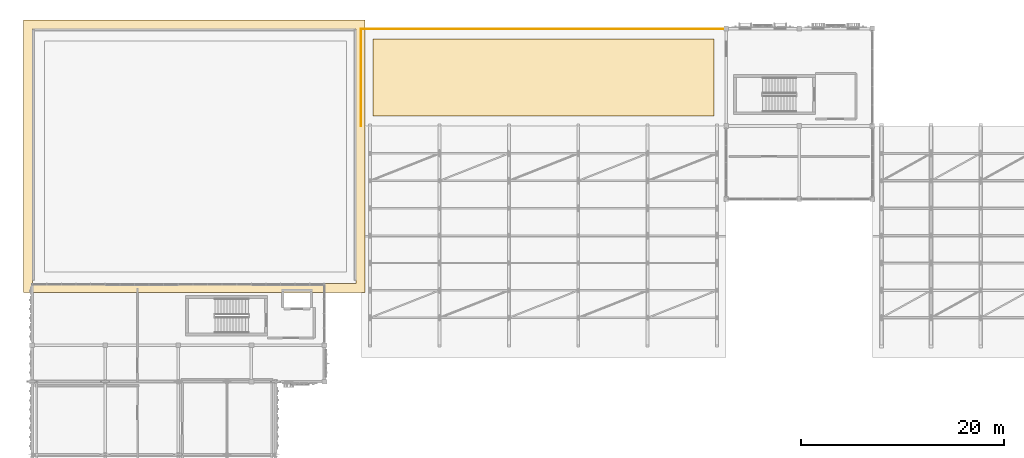
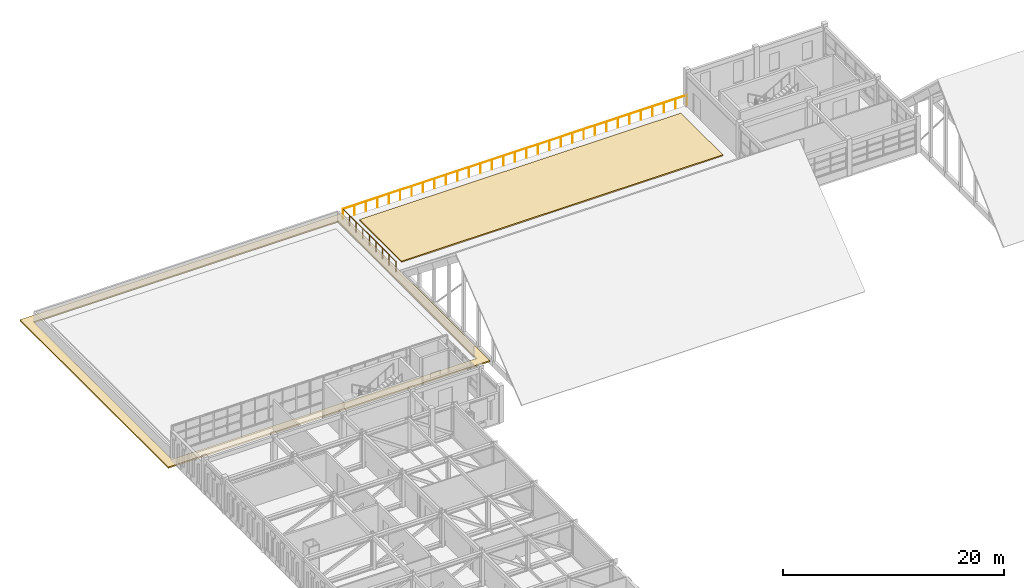
# One storey, part 68 of 79: 2 coverings, 2 railings.
"""IFC4 building model written with IfcOpenShell, lengths in metres."""

import ifcopenshell
import ifcopenshell.guid

model = None  # the IFC model being written
_history = None  # IfcOwnerHistory: only IFC2X3 demands one
_inside = {}  # id of a spatial element -> (the spatial element, [elements in it])
_under = {}  # id of a project, library or spatial element -> (it, [spatial elements below it])
_declared = {}  # id of a project -> (the project, [libraries it declares])
_typed = {}  # id of a type object -> (the type object, [elements of that type])
_made_of = {}  # id of a material, layer set ... -> (it, [elements and type objects made of it])


def new_model(schema):
    """Start an empty IFC model of exactly this schema.

    Asked for "IFC4X3", IfcOpenShell would pick the latest addendum, in which some entities
    have other attributes; the version numbers below select the first issue.
    IFC2X3 requires an IfcOwnerHistory on every rooted entity: one is made here for all.
    """
    global model, _history
    if schema == "IFC4X3":
        model = ifcopenshell.file(schema_version=(4, 3, 0, 0))
    else:
        model = ifcopenshell.file(schema=schema)
    _inside.clear()
    _under.clear()
    _declared.clear()
    _typed.clear()
    _made_of.clear()
    _history = None
    if model.schema == "IFC2X3":
        org = make("IfcOrganization", Name="unknown")
        user = make(
            "IfcPersonAndOrganization",
            ThePerson=make("IfcPerson", FamilyName="unknown"),
            TheOrganization=org,
        )
        app = make(
            "IfcApplication",
            ApplicationDeveloper=org,
            Version="unknown",
            ApplicationFullName="unknown",
            ApplicationIdentifier="unknown",
        )
        _history = make(
            "IfcOwnerHistory",
            OwningUser=user,
            OwningApplication=app,
            ChangeAction="ADDED",
            CreationDate=0,
        )
    return model


def make(cls, **values):
    """One entity of the class cls with the attributes given. An attribute that is None is left unset."""
    return model.create_entity(
        cls, **{name: value for name, value in values.items() if value is not None}
    )


def rooted(cls, **values):
    """An entity with a GlobalId (a new one), such as an element, a storey or a relation."""
    return make(cls, GlobalId=ifcopenshell.guid.new(), OwnerHistory=_history, **values)


def si_unit(unit_type, name, prefix=None):
    """IfcSIUnit, for example si_unit("LENGTHUNIT", "METRE", prefix="MILLI")."""
    return make("IfcSIUnit", UnitType=unit_type, Prefix=prefix, Name=name)


def assignment(units):
    """IfcUnitAssignment: the units of a project."""
    return None if units is None else make("IfcUnitAssignment", Units=units)


def point(xyz):
    """IfcCartesianPoint."""
    return None if xyz is None else make("IfcCartesianPoint", Coordinates=xyz)


def direction(xyz):
    """IfcDirection."""
    return None if xyz is None else make("IfcDirection", DirectionRatios=xyz)


def frame(location, z_axis=None, x_axis=None):
    """IfcAxis2Placement3D, a coordinate frame: its origin and axes. An axis left out is left unset."""
    return make(
        "IfcAxis2Placement3D",
        Location=point(location),
        Axis=direction(z_axis),
        RefDirection=direction(x_axis),
    )


def frame_2d(location, x_axis=None):
    """IfcAxis2Placement2D, a coordinate frame in the plane: its origin and x axis."""
    return make(
        "IfcAxis2Placement2D", Location=point(location), RefDirection=direction(x_axis)
    )


def origin():
    """The frame at (0, 0, 0) with its axes left unset."""
    return frame((0.0, 0.0, 0.0))


def origin_2d():
    """The frame at (0, 0) in the plane with its x axis left unset."""
    return frame_2d((0.0, 0.0))


def place(relative_to, where):
    """IfcLocalPlacement: puts the frame where relative to a parent placement (None: the world)."""
    return make(
        "IfcLocalPlacement", PlacementRelTo=relative_to, RelativePlacement=where
    )


def context(
    kind, dimensions, precision=None, world=None, true_north=None, identifier=None
):
    """IfcGeometricRepresentationContext, for example the 3D "Model" context."""
    return make(
        "IfcGeometricRepresentationContext",
        ContextIdentifier=identifier,
        ContextType=kind,
        CoordinateSpaceDimension=dimensions,
        Precision=precision,
        WorldCoordinateSystem=world,
        TrueNorth=true_north,
    )


def subcontext(parent, identifier, kind, view, scale=None):
    """IfcGeometricRepresentationSubContext, for example "Body" below "Model"."""
    return make(
        "IfcGeometricRepresentationSubContext",
        ContextIdentifier=identifier,
        ContextType=kind,
        ParentContext=parent,
        TargetScale=scale,
        TargetView=view,
    )


def project(units=None, contexts=None):
    """IfcProject with its units and contexts."""
    return rooted(
        "IfcProject",
        Name="project",
        RepresentationContexts=contexts,
        UnitsInContext=assignment(units),
    )


def spatial(cls, under=None, at=None, **own):
    """A site, building, storey or space (cls), placed at a placement, below another one or the project."""
    s = rooted(cls, ObjectPlacement=at, **own)
    if under is not None:
        _under.setdefault(under.id(), (under, []))[1].append(s)
    return s


def polyline(points):
    """IfcPolyline through the points."""
    return make("IfcPolyline", Points=[point(p) for p in points])


def profile(cls, at=None, kind="AREA", **sizes):
    """A parametric profile (cls). Its sizes go by their IFC names, for example OverallWidth=200.0."""
    return make(cls, ProfileType=kind, Position=at, **sizes)


def circle(**sizes):
    """IfcCircleProfileDef."""
    return profile("IfcCircleProfileDef", **sizes)


def outline(outer, holes=None, kind="AREA"):
    """IfcArbitraryClosedProfileDef: a profile drawn as a closed curve; with holes, ...WithVoids."""
    if holes is None:
        return make("IfcArbitraryClosedProfileDef", ProfileType=kind, OuterCurve=outer)
    return make(
        "IfcArbitraryProfileDefWithVoids",
        ProfileType=kind,
        OuterCurve=outer,
        InnerCurves=holes,
    )


def extrude(swept, where, along, depth):
    """IfcExtrudedAreaSolid: the profile swept, set in the frame where, extruded along a direction by depth."""
    return make(
        "IfcExtrudedAreaSolid",
        SweptArea=swept,
        Position=where,
        ExtrudedDirection=direction(along),
        Depth=depth,
    )


def shape(context_of_items, identifier, shape_type, items):
    """IfcShapeRepresentation: the items that make up one representation, for example the "Body"."""
    return make(
        "IfcShapeRepresentation",
        ContextOfItems=context_of_items,
        RepresentationIdentifier=identifier,
        RepresentationType=shape_type,
        Items=items,
    )


def material(Name=None, Category=None):
    """IfcMaterial."""
    return make("IfcMaterial", Name=Name, Category=Category)


def layer(
    of_material, thickness, ventilated=None, Name=None, Category=None, Priority=None
):
    """IfcMaterialLayer: one layer of a wall or slab, of a material (None: an air gap)."""
    return make(
        "IfcMaterialLayer",
        Material=of_material,
        LayerThickness=thickness,
        IsVentilated=ventilated,
        Name=Name,
        Category=Category,
        Priority=Priority,
    )


def layer_set(layers, Name=None):
    """IfcMaterialLayerSet."""
    return make("IfcMaterialLayerSet", MaterialLayers=layers, LayerSetName=Name)


def made_of(thing, what):
    """Note that an element or type object is made of a material, layer set ...; save() writes the relation."""
    if what is not None:
        _made_of.setdefault(what.id(), (what, []))[1].append(thing)
    return thing


def type_object(cls, material=None, **own):
    """A type object (cls), such as IfcWallType, which elements share."""
    return made_of(rooted(cls, **own), material)


def element(
    cls,
    number,
    at=None,
    inside=None,
    cuts=None,
    type_object=None,
    material=None,
    context=None,
    identifier="Body",
    shape_type=None,
    held_by="IfcProductDefinitionShape",
    body=None,
    shapes=None,
    **own,
):
    """One element of the class cls, such as IfcWall. Its Tag is "e" and its number.

    at: its placement. inside: the storey or other place that contains it. cuts: it is an
    opening in that element (IfcRelVoidsElement). A single representation is given by context,
    identifier, shape_type and body (its items); several are given by shapes. held_by: the class
    of the entity that holds the representations. save() writes the other relations.
    """
    e = rooted(cls, Tag="e%d" % number, ObjectPlacement=at, **own)
    if body is not None:
        shapes = [shape(context, identifier, shape_type, body)]
    if shapes is not None:
        e.Representation = make(held_by, Representations=shapes)
    if inside is not None:
        _inside.setdefault(inside.id(), (inside, []))[1].append(e)
    if cuts is not None:
        rooted(
            "IfcRelVoidsElement", RelatingBuildingElement=cuts, RelatedOpeningElement=e
        )
    if type_object is not None:
        _typed.setdefault(type_object.id(), (type_object, []))[1].append(e)
    return made_of(e, material)


def aggregate(whole, parts):
    """IfcRelAggregates: a whole, such as a stair, and the parts it consists of."""
    return rooted("IfcRelAggregates", RelatingObject=whole, RelatedObjects=parts)


def save(model, path):
    """Write the relations noted so far, then the file.

    IfcRelAggregates (storeys below a building ...), IfcRelContainedInSpatialStructure (elements
    in a storey), IfcRelDefinesByType, IfcRelAssociatesMaterial and IfcRelDeclares: one each for
    every whole, place, type object, material and project.
    """
    for whole, parts in _under.values():
        aggregate(whole, parts)
    for where, things in _inside.values():
        rooted(
            "IfcRelContainedInSpatialStructure",
            RelatedElements=things,
            RelatingStructure=where,
        )
    for kind, things in _typed.values():
        rooted("IfcRelDefinesByType", RelatedObjects=things, RelatingType=kind)
    for what, things in _made_of.values():
        rooted("IfcRelAssociatesMaterial", RelatedObjects=things, RelatingMaterial=what)
    for by, libraries in _declared.values():
        rooted("IfcRelDeclares", RelatingContext=by, RelatedDefinitions=libraries)
    model.write(path)


model = new_model("IFC4")

# Units and contexts
model_context = context("Model", 3, precision=1e-05, world=origin(), true_north=direction((0.0, 1.0)))
body_context = subcontext(model_context, "Body", "Model", "MODEL_VIEW")
ifc_project = project(units=[si_unit("LENGTHUNIT", "METRE"), si_unit("AREAUNIT", "SQUARE_METRE"), si_unit("VOLUMEUNIT", "CUBIC_METRE"), si_unit("PLANEANGLEUNIT", "RADIAN"), si_unit("MASSUNIT", "GRAM", prefix="KILO")], contexts=[model_context])

# Site, building, storey
site_placement = place(None, origin())
site = spatial("IfcSite", under=ifc_project, at=site_placement, CompositionType="ELEMENT")
building_placement = place(site_placement, origin())
building = spatial("IfcBuilding", under=site, at=building_placement, Name="Nzembalo Square Collegiate School", CompositionType="ELEMENT")
storey_placement = place(building_placement, frame((0.0, 0.0, 9.52001953125)))
storey = spatial("IfcBuildingStorey", under=building, at=storey_placement, Name="L02", CompositionType="ELEMENT", Elevation=9.52001953125)

# Coverings
ifc_material_1 = material(Name="Glulam GL28h overhanging eaves cornice", Category="wood")
ifc_layer_1 = layer(ifc_material_1, 0.159912109375, Name="Glulam GL28h overhanging eaves cornice")
ifc_layer_set_1 = layer_set([ifc_layer_1], Name="Glulam GL28h overhanging eaves cornice")
covering_type_1 = type_object("IfcCoveringType", Name="EV01", PredefinedType="ROOFING", material=ifc_layer_set_1)
covering_1_placement = place(storey_placement, frame((0.0, 0.0, -0.159912109375)))
element("IfcCovering", 1, at=covering_1_placement, inside=storey, type_object=covering_type_1, Name="Projecting tropical roof eaves cornice EV01-01", PredefinedType="ROOFING", context=body_context, shape_type="SweptSolid", body=[
    extrude(outline(polyline([(7.550048828125, 87.989990234375), (41.199951171875, 87.989990234375), (41.199951171875, 114.85009765625), (7.550048828125, 114.85009765625), (7.550048828125, 87.989990234375)]), holes=[polyline([(8.449951171875, 88.889892578125), (40.300048828125, 88.889892578125), (40.300048828125, 113.949951171875), (8.449951171875, 113.949951171875), (8.449951171875, 88.889892578125)])]), origin(), (0.0, 0.0, 1.0), 0.14990234375),
])
ifc_material_2 = material(Name="Planted extensive green roof substrate")
ifc_layer_2 = layer(ifc_material_2, 0.139892578125, Name="Planted extensive green roof substrate")
ifc_layer_set_2 = layer_set([ifc_layer_2], Name="Planted extensive green roof substrate")
covering_type_2 = type_object("IfcCoveringType", Name="GR01", PredefinedType="ROOFING", material=ifc_layer_set_2)
covering_2_placement = place(storey_placement, origin())
element("IfcCovering", 2, at=covering_2_placement, inside=storey, type_object=covering_type_2, Name="Planted green roof bed GR01-04", PredefinedType="ROOFING", context=body_context, shape_type="SweptSolid", body=[
    extrude(outline(polyline([(42.0, 105.39990234375), (75.60009765625, 105.39990234375), (75.60009765625, 113.0), (42.0, 113.0), (42.0, 105.39990234375)])), origin(), (0.0, 0.0, 1.0), 0.139892578125),
])

# Railings
ifc_material_3 = material(Name="Steel S355", Category="steel")
railing_type = type_object("IfcRailingType", Name="BL01", PredefinedType="BALUSTRADE", material=ifc_material_3)
railing_1_placement = place(storey_placement, frame((40.820068359375, 104.39990234375, 0.0)))
element("IfcRailing", 3, at=railing_1_placement, inside=storey, type_object=railing_type, Name="Terrace balustrade BL-07A", PredefinedType="BALUSTRADE", context=body_context, shape_type="SweptSolid", body=[
    extrude(circle(Radius=0.02392578125, at=origin_2d()), frame((0.0, 0.0, 1.1259765625), z_axis=(0.0, 1.0, 0.0), x_axis=(-1.0, 0.0, 0.0)), (0.0, 0.0, 1.0), 9.580078125),
    extrude(circle(Radius=0.02099609375, at=origin_2d()), origin(), (0.0, 0.0, 1.0), 1.101806640625),
    extrude(circle(Radius=0.02099609375, at=origin_2d()), frame((0.0, 1.197509765625, 0.0)), (0.0, 0.0, 1.0), 1.101806640625),
    extrude(circle(Radius=0.02099609375, at=origin_2d()), frame((0.0, 2.39501953125, 0.0)), (0.0, 0.0, 1.0), 1.101806640625),
    extrude(circle(Radius=0.02099609375, at=origin_2d()), frame((0.0, 3.592529296875, 0.0)), (0.0, 0.0, 1.0), 1.101806640625),
    extrude(circle(Radius=0.02099609375, at=origin_2d()), frame((0.0, 4.7900390625, 0.0)), (0.0, 0.0, 1.0), 1.101806640625),
    extrude(circle(Radius=0.02099609375, at=origin_2d()), frame((0.0, 5.987548828125, 0.0)), (0.0, 0.0, 1.0), 1.101806640625),
    extrude(circle(Radius=0.02099609375, at=origin_2d()), frame((0.0, 7.18505859375, 0.0)), (0.0, 0.0, 1.0), 1.101806640625),
    extrude(circle(Radius=0.02099609375, at=origin_2d()), frame((0.0, 8.382568359375, 0.0)), (0.0, 0.0, 1.0), 1.101806640625),
    extrude(circle(Radius=0.02099609375, at=origin_2d()), frame((0.0, 9.580078125, 0.0)), (0.0, 0.0, 1.0), 1.101806640625),
])
railing_2_placement = place(storey_placement, frame((40.820068359375, 113.97998046875, 0.0)))
element("IfcRailing", 4, at=railing_2_placement, inside=storey, type_object=railing_type, Name="Terrace balustrade BL-07B", PredefinedType="BALUSTRADE", context=body_context, shape_type="SweptSolid", body=[
    extrude(circle(Radius=0.02392578125, at=origin_2d()), frame((0.0, 0.0, 1.1259765625), z_axis=(1.0, 0.0, 0.0), x_axis=(0.0, 1.0, 0.0)), (0.0, 0.0, 1.0), 35.97998046875),
    extrude(circle(Radius=0.02099609375, at=origin_2d()), origin(), (0.0, 0.0, 1.0), 1.101806640625),
    extrude(circle(Radius=0.02099609375, at=origin_2d()), frame((1.19921875, 0.0, 0.0)), (0.0, 0.0, 1.0), 1.101806640625),
    extrude(circle(Radius=0.02099609375, at=origin_2d()), frame((2.398681640625, 0.0, 0.0)), (0.0, 0.0, 1.0), 1.101806640625),
    extrude(circle(Radius=0.02099609375, at=origin_2d()), frame((3.597900390625, 0.0, 0.0)), (0.0, 0.0, 1.0), 1.101806640625),
    extrude(circle(Radius=0.02099609375, at=origin_2d()), frame((4.79736328125, 0.0, 0.0)), (0.0, 0.0, 1.0), 1.101806640625),
    extrude(circle(Radius=0.02099609375, at=origin_2d()), frame((5.99658203125, 0.0, 0.0)), (0.0, 0.0, 1.0), 1.101806640625),
    extrude(circle(Radius=0.02099609375, at=origin_2d()), frame((7.196044921875, 0.0, 0.0)), (0.0, 0.0, 1.0), 1.101806640625),
    extrude(circle(Radius=0.02099609375, at=origin_2d()), frame((8.395263671875, 0.0, 0.0)), (0.0, 0.0, 1.0), 1.101806640625),
    extrude(circle(Radius=0.02099609375, at=origin_2d()), frame((9.5947265625, 0.0, 0.0)), (0.0, 0.0, 1.0), 1.101806640625),
    extrude(circle(Radius=0.02099609375, at=origin_2d()), frame((10.7939453125, 0.0, 0.0)), (0.0, 0.0, 1.0), 1.101806640625),
    extrude(circle(Radius=0.02099609375, at=origin_2d()), frame((11.993408203125, 0.0, 0.0)), (0.0, 0.0, 1.0), 1.101806640625),
    extrude(circle(Radius=0.02099609375, at=origin_2d()), frame((13.192626953125, 0.0, 0.0)), (0.0, 0.0, 1.0), 1.101806640625),
    extrude(circle(Radius=0.02099609375, at=origin_2d()), frame((14.39208984375, 0.0, 0.0)), (0.0, 0.0, 1.0), 1.101806640625),
    extrude(circle(Radius=0.02099609375, at=origin_2d()), frame((15.59130859375, 0.0, 0.0)), (0.0, 0.0, 1.0), 1.101806640625),
    extrude(circle(Radius=0.02099609375, at=origin_2d()), frame((16.790771484375, 0.0, 0.0)), (0.0, 0.0, 1.0), 1.101806640625),
    extrude(circle(Radius=0.02099609375, at=origin_2d()), frame((17.989990234375, 0.0, 0.0)), (0.0, 0.0, 1.0), 1.101806640625),
    extrude(circle(Radius=0.02099609375, at=origin_2d()), frame((19.189208984375, 0.0, 0.0)), (0.0, 0.0, 1.0), 1.101806640625),
    extrude(circle(Radius=0.02099609375, at=origin_2d()), frame((20.388671875, 0.0, 0.0)), (0.0, 0.0, 1.0), 1.101806640625),
    extrude(circle(Radius=0.02099609375, at=origin_2d()), frame((21.587890625, 0.0, 0.0)), (0.0, 0.0, 1.0), 1.101806640625),
    extrude(circle(Radius=0.02099609375, at=origin_2d()), frame((22.787353515625, 0.0, 0.0)), (0.0, 0.0, 1.0), 1.101806640625),
    extrude(circle(Radius=0.02099609375, at=origin_2d()), frame((23.986572265625, 0.0, 0.0)), (0.0, 0.0, 1.0), 1.101806640625),
    extrude(circle(Radius=0.02099609375, at=origin_2d()), frame((25.18603515625, 0.0, 0.0)), (0.0, 0.0, 1.0), 1.101806640625),
    extrude(circle(Radius=0.02099609375, at=origin_2d()), frame((26.38525390625, 0.0, 0.0)), (0.0, 0.0, 1.0), 1.101806640625),
    extrude(circle(Radius=0.02099609375, at=origin_2d()), frame((27.584716796875, 0.0, 0.0)), (0.0, 0.0, 1.0), 1.101806640625),
    extrude(circle(Radius=0.02099609375, at=origin_2d()), frame((28.783935546875, 0.0, 0.0)), (0.0, 0.0, 1.0), 1.101806640625),
    extrude(circle(Radius=0.02099609375, at=origin_2d()), frame((29.9833984375, 0.0, 0.0)), (0.0, 0.0, 1.0), 1.101806640625),
    extrude(circle(Radius=0.02099609375, at=origin_2d()), frame((31.1826171875, 0.0, 0.0)), (0.0, 0.0, 1.0), 1.101806640625),
    extrude(circle(Radius=0.02099609375, at=origin_2d()), frame((32.382080078125, 0.0, 0.0)), (0.0, 0.0, 1.0), 1.101806640625),
    extrude(circle(Radius=0.02099609375, at=origin_2d()), frame((33.581298828125, 0.0, 0.0)), (0.0, 0.0, 1.0), 1.101806640625),
    extrude(circle(Radius=0.02099609375, at=origin_2d()), frame((34.78076171875, 0.0, 0.0)), (0.0, 0.0, 1.0), 1.101806640625),
    extrude(circle(Radius=0.02099609375, at=origin_2d()), frame((35.97998046875, 0.0, 0.0)), (0.0, 0.0, 1.0), 1.101806640625),
])

save(model, "model.ifc")
